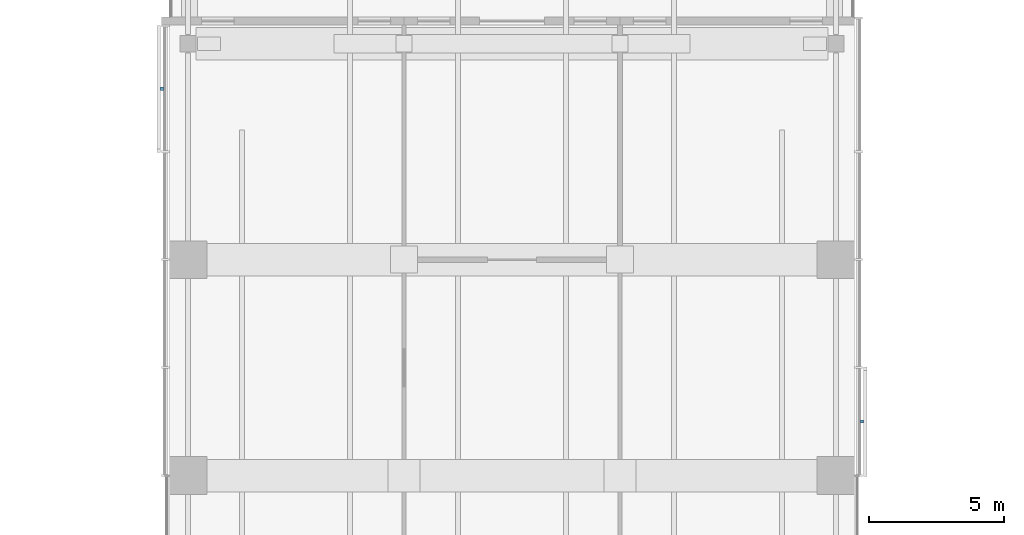
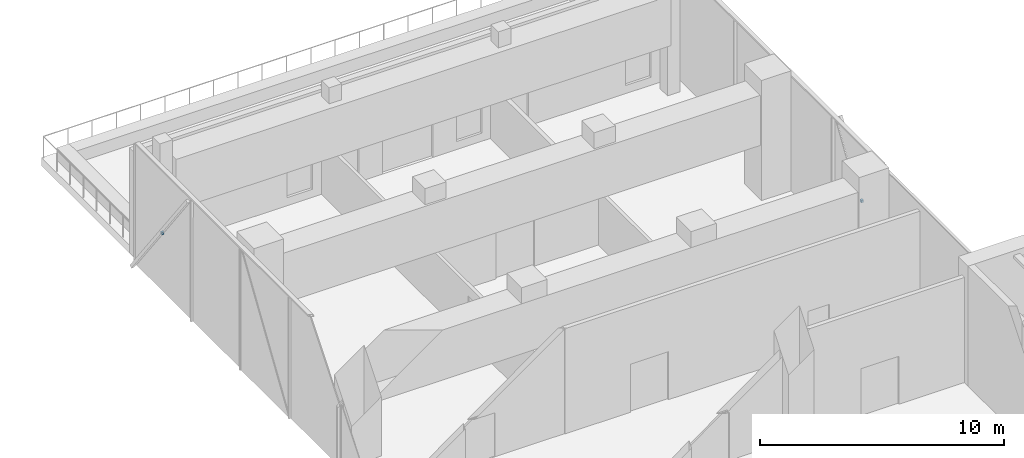
# One storey, part 21 of 23: 2 discrete accessories.
"""IFC4 building model written with IfcOpenShell, lengths in metres."""

from ifc_helpers import new_model, si_unit, direction, frame, origin, origin_2d, place, context, subcontext, project, spatial, rectangle, extrude, material, type_object, element, save


model = new_model("IFC4")

# Units and contexts
model_context = context("Model", 3, precision=1e-05, world=origin(), true_north=direction((0.0, 1.0)))
body_context = subcontext(model_context, "Body", "Model", "MODEL_VIEW")
ifc_project = project(units=[si_unit("LENGTHUNIT", "METRE"), si_unit("AREAUNIT", "SQUARE_METRE"), si_unit("VOLUMEUNIT", "CUBIC_METRE"), si_unit("PLANEANGLEUNIT", "RADIAN"), si_unit("MASSUNIT", "GRAM", prefix="KILO")], contexts=[model_context])

# Site, building, storey
site_placement = place(None, origin())
site = spatial("IfcSite", under=ifc_project, at=site_placement, CompositionType="ELEMENT")
building_placement = place(site_placement, origin())
building = spatial("IfcBuilding", under=site, at=building_placement, Name="Crosswind Convention Tower", CompositionType="ELEMENT")
storey_placement = place(building_placement, frame((0.0, 0.0, 47.5)))
storey = spatial("IfcBuildingStorey", under=building, at=storey_placement, Name="L06", CompositionType="ELEMENT", Elevation=47.5)

# Discrete accessories
ifc_material = material(Name="Stainless steel", Category="steel")
discrete_accessory_type = type_object("IfcDiscreteAccessoryType", Name="BAGUETTE BRACKET BK4", PredefinedType="BRACKET", material=ifc_material)
for number, where, z_axis, x_axis, name in (
    (1, (137.971923828125, 122.0, 2.5625), (0.0, 0.0, 1.0), (0.0, 1.0, 0.0), "BK4 baguette bracket"),
    (2, (112.028076171875, 134.331298828125, 2.5625), (0.0, 0.0, 1.0), (0.0, -1.0, 0.0), "BK4 baguette bracket"),
):
    element("IfcDiscreteAccessory", number, at=place(storey_placement, frame(where, z_axis=z_axis, x_axis=x_axis)), inside=storey, type_object=discrete_accessory_type, Name=name, PredefinedType="BRACKET", context=body_context, shape_type="SweptSolid", body=[
        extrude(rectangle(XDim=0.1201171875, YDim=0.10009765625, at=origin_2d()), origin(), (0.0, 0.0, 1.0), 0.1201171875),
    ])

save(model, "model.ifc")
